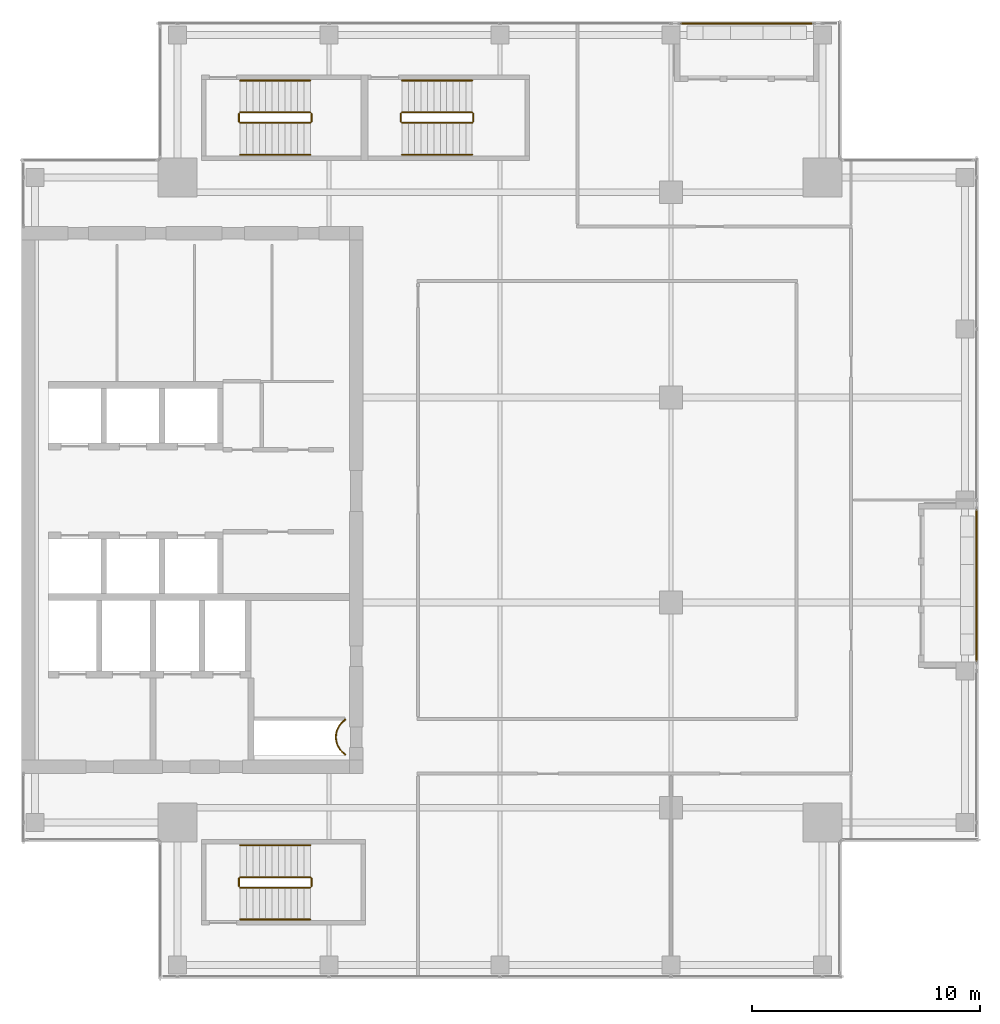
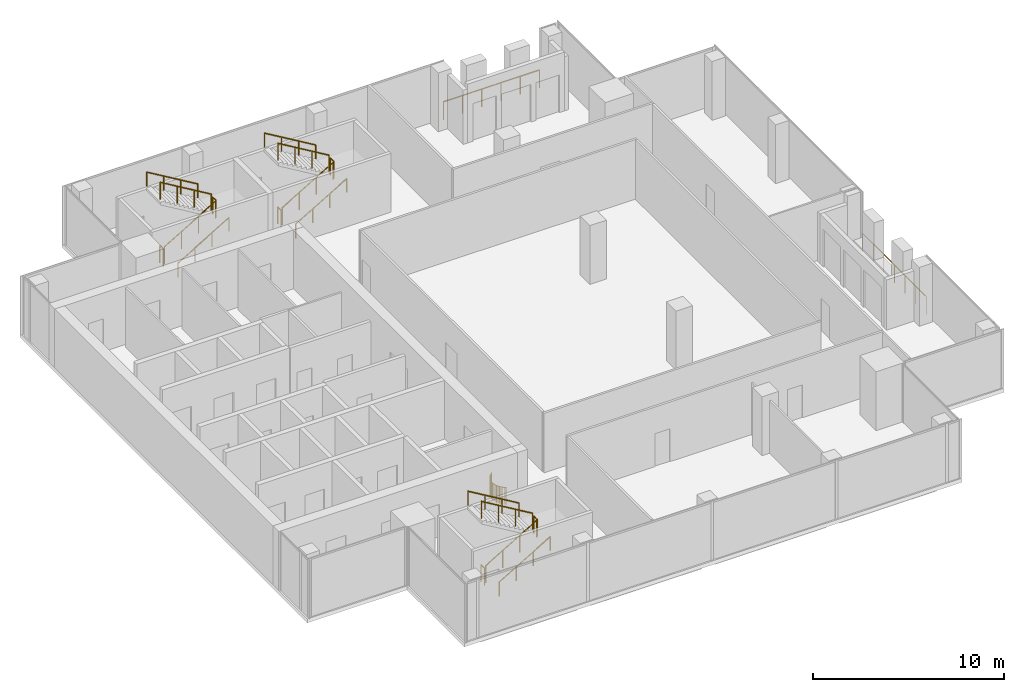
# One storey, part 28 of 29: 21 railings.
"""IFC4 building model written with IfcOpenShell, lengths in metres."""

from ifc_helpers import new_model, si_unit, direction, frame, origin, origin_2d, place, context, subcontext, project, spatial, circle, extrude, source, transform, mapped, material, type_object, element, save


model = new_model("IFC4")

# Units and contexts
model_context = context("Model", 3, precision=1e-05, world=origin(), true_north=direction((0.0, 1.0)))
body_context = subcontext(model_context, "Body", "Model", "MODEL_VIEW")
ifc_project = project(units=[si_unit("LENGTHUNIT", "METRE"), si_unit("AREAUNIT", "SQUARE_METRE"), si_unit("VOLUMEUNIT", "CUBIC_METRE"), si_unit("PLANEANGLEUNIT", "RADIAN"), si_unit("MASSUNIT", "GRAM", prefix="KILO")], contexts=[model_context])

# Site, building, storey
site_placement = place(None, origin())
site = spatial("IfcSite", under=ifc_project, at=site_placement, CompositionType="ELEMENT")
building_placement = place(site_placement, origin())
building = spatial("IfcBuilding", under=site, at=building_placement, Name="Khomas Fold Tower", CompositionType="ELEMENT")
storey_placement = place(building_placement, frame((0.0, 0.0, 322.199951171875)))
storey = spatial("IfcBuildingStorey", under=building, at=storey_placement, Name="L73", CompositionType="ELEMENT", Elevation=322.199951171875)

# Railings
ifc_material_1 = material(Name="Powder-coated steel", Category="steel")
railing_type_1 = type_object("IfcRailingType", Name="Balcony guard", PredefinedType="GUARDRAIL", material=ifc_material_1)
shared_shape_1 = source(origin(), body_context, "Body", "SweptSolid", [
    extrude(circle(Radius=0.02490234375, at=origin_2d()), frame((0.0, 0.0, 1.125), z_axis=(1.0, 0.0, 0.0), x_axis=(0.0, 1.0, 0.0)), (0.0, 0.0, 1.0), 5.7900390625),
    extrude(circle(Radius=0.02001953125, at=origin_2d()), origin(), (0.0, 0.0, 1.0), 1.099853515625),
    extrude(circle(Radius=0.02001953125, at=origin_2d()), frame((1.157958984375, 0.0, 0.0)), (0.0, 0.0, 1.0), 1.099853515625),
    extrude(circle(Radius=0.02001953125, at=origin_2d()), frame((2.31591796875, 0.0, 0.0)), (0.0, 0.0, 1.0), 1.099853515625),
    extrude(circle(Radius=0.02001953125, at=origin_2d()), frame((3.47412109375, 0.0, 0.0)), (0.0, 0.0, 1.0), 1.099853515625),
    extrude(circle(Radius=0.02001953125, at=origin_2d()), frame((4.632080078125, 0.0, 0.0)), (0.0, 0.0, 1.0), 1.099853515625),
    extrude(circle(Radius=0.02001953125, at=origin_2d()), frame((5.7900390625, 0.0, 0.0)), (0.0, 0.0, 1.0), 1.099853515625),
])
railing_1_placement = place(storey_placement, frame((34.929931640625, 47.89990234375, -0.044921875)))
element("IfcRailing", 1, at=railing_1_placement, inside=storey, type_object=railing_type_1, Name="Balcony guard BAL-L73-N4", PredefinedType="GUARDRAIL", context=body_context, shape_type="MappedRepresentation", body=[
    mapped(shared_shape_1, transform((0.0, 0.0, 0.0))),
])
shared_shape_2 = source(origin(), body_context, "Body", "SweptSolid", [
    extrude(circle(Radius=0.02490234375, at=origin_2d()), frame((0.0, 0.0, 1.125), z_axis=(0.0, 1.0, 0.0), x_axis=(-1.0, 0.0, 0.0)), (0.0, 0.0, 1.0), 6.64013671875),
    extrude(circle(Radius=0.02001953125, at=origin_2d()), origin(), (0.0, 0.0, 1.0), 1.099853515625),
    extrude(circle(Radius=0.02001953125, at=origin_2d()), frame((0.0, 1.106689453125, 0.0)), (0.0, 0.0, 1.0), 1.099853515625),
    extrude(circle(Radius=0.02001953125, at=origin_2d()), frame((0.0, 2.21337890625, 0.0)), (0.0, 0.0, 1.0), 1.099853515625),
    extrude(circle(Radius=0.02001953125, at=origin_2d()), frame((0.0, 3.320068359375, 0.0)), (0.0, 0.0, 1.0), 1.099853515625),
    extrude(circle(Radius=0.02001953125, at=origin_2d()), frame((0.0, 4.4267578125, 0.0)), (0.0, 0.0, 1.0), 1.099853515625),
    extrude(circle(Radius=0.02001953125, at=origin_2d()), frame((0.0, 5.533447265625, 0.0)), (0.0, 0.0, 1.0), 1.099853515625),
    extrude(circle(Radius=0.02001953125, at=origin_2d()), frame((0.0, 6.64013671875, 0.0)), (0.0, 0.0, 1.0), 1.099853515625),
])
railing_2_placement = place(storey_placement, frame((47.89990234375, 19.929931640625, -0.044921875)))
element("IfcRailing", 2, at=railing_2_placement, inside=storey, type_object=railing_type_1, Name="Balcony guard BAL-L73-E2", PredefinedType="GUARDRAIL", context=body_context, shape_type="MappedRepresentation", body=[
    mapped(shared_shape_2, transform((0.0, 0.0, 0.0))),
])
ifc_material_2 = material(Name="Steel balustrade", Category="steel")
railing_type_2 = type_object("IfcRailingType", Name="Stair guard", PredefinedType="GUARDRAIL", material=ifc_material_2)
shared_shape_3 = source(origin(), body_context, "Body", "SweptSolid", [
    extrude(circle(Radius=0.02392578125, at=origin_2d()), frame((0.0, 0.0, 1.076171875), z_axis=(0.0, 1.0, 0.0), x_axis=(-1.0, 0.0, 0.0)), (0.0, 0.0, 1.0), 0.349853515625),
    extrude(circle(Radius=0.02099609375, at=origin_2d()), origin(), (0.0, 0.0, 1.0), 1.052001953125),
    extrude(circle(Radius=0.02099609375, at=origin_2d()), frame((0.0, 0.349853515625, 0.0)), (0.0, 0.0, 1.0), 1.052001953125),
])
for number, where, name in (
    (3, (18.72998046875, 43.60009765625, 2.0), "L73 ST1 stair guard 2"),
    (4, (15.550048828125, 43.60009765625, 0.0), "L73 ST1 stair guard 4"),
    (5, (18.72998046875, 10.050048828125, 2.0), "L73 ST2 stair guard 2"),
    (6, (15.550048828125, 10.050048828125, 0.0), "L73 ST2 stair guard 4"),
    (7, (25.830078125, 43.60009765625, 2.0), "L73 ST3 stair guard 2"),
    (8, (22.64990234375, 43.60009765625, 0.0), "L73 ST3 stair guard 4"),
):
    element("IfcRailing", number, at=place(storey_placement, frame(where)), inside=storey, type_object=railing_type_2, Name=name, PredefinedType="GUARDRAIL", context=body_context, shape_type="MappedRepresentation", body=[
        mapped(shared_shape_3, transform((0.0, 0.0, 0.0))),
    ])
shared_shape_4 = source(origin(), body_context, "Body", "SweptSolid", [
    extrude(circle(Radius=0.02392578125, at=origin_2d()), frame((0.0, 0.0, 1.076171875), z_axis=(0.859290745958, 0.0, 0.51148745235), x_axis=(0.0, 1.0, 0.0)), (0.0, 0.0, 1.0), 3.584228515625),
    extrude(circle(Radius=0.02099609375, at=origin_2d()), origin(), (0.0, 0.0, 1.0), 1.052001953125),
    extrude(circle(Radius=0.02099609375, at=origin_2d()), frame((1.026611328125, 0.0, 0.611083984375)), (0.0, 0.0, 1.0), 1.052001953125),
    extrude(circle(Radius=0.02099609375, at=origin_2d()), frame((2.05322265625, 0.0, 1.22216796875)), (0.0, 0.0, 1.0), 1.052001953125),
    extrude(circle(Radius=0.02099609375, at=origin_2d()), frame((3.079833984375, 0.0, 1.833251953125)), (0.0, 0.0, 1.0), 1.052001953125),
])
for number, where, name in (
    (9, (15.60009765625, 43.550048828125, 0.166748046875), "L73 ST1 stair guard 1"),
    (10, (15.60009765625, 10.0, 0.166748046875), "L73 ST2 stair guard 1"),
):
    element("IfcRailing", number, at=place(storey_placement, frame(where)), inside=storey, type_object=railing_type_2, Name=name, PredefinedType="GUARDRAIL", context=body_context, shape_type="MappedRepresentation", body=[
        mapped(shared_shape_4, transform((0.0, 0.0, 0.0))),
    ])
shared_shape_5 = source(origin(), body_context, "Body", "SweptSolid", [
    extrude(circle(Radius=0.02392578125, at=origin_2d()), frame((0.0, 0.0, 1.076171875), z_axis=(-0.859290745958, 0.0, 0.51148745235), x_axis=(0.0, -1.0, 0.0)), (0.0, 0.0, 1.0), 3.584228515625),
    extrude(circle(Radius=0.02099609375, at=origin_2d()), origin(), (0.0, 0.0, 1.0), 1.052001953125),
    extrude(circle(Radius=0.02099609375, at=origin_2d()), frame((-1.026611328125, 0.0, 0.611083984375)), (0.0, 0.0, 1.0), 1.052001953125),
    extrude(circle(Radius=0.02099609375, at=origin_2d()), frame((-2.05322265625, 0.0, 1.22216796875)), (0.0, 0.0, 1.0), 1.052001953125),
    extrude(circle(Radius=0.02099609375, at=origin_2d()), frame((-3.079833984375, 0.0, 1.833251953125)), (0.0, 0.0, 1.0), 1.052001953125),
])
for number, where, name in (
    (11, (18.679931640625, 44.0, 2.166748046875), "L73 ST1 stair guard 3"),
    (12, (18.679931640625, 10.449951171875, 2.166748046875), "L73 ST2 stair guard 3"),
):
    element("IfcRailing", number, at=place(storey_placement, frame(where)), inside=storey, type_object=railing_type_2, Name=name, PredefinedType="GUARDRAIL", context=body_context, shape_type="MappedRepresentation", body=[
        mapped(shared_shape_5, transform((0.0, 0.0, 0.0))),
    ])
ifc_material_3 = material(Name="Steel handrail", Category="steel")
railing_type_3 = type_object("IfcRailingType", Name="Stair handrail", PredefinedType="HANDRAIL", material=ifc_material_3)
shared_shape_6 = source(origin(), body_context, "Body", "SweptSolid", [
    extrude(circle(Radius=0.02392578125, at=origin_2d()), frame((0.0, 0.0, 0.8759765625), z_axis=(0.859290745958, 0.0, 0.51148745235), x_axis=(0.0, 1.0, 0.0)), (0.0, 0.0, 1.0), 3.584228515625),
    extrude(circle(Radius=0.02099609375, at=origin_2d()), origin(), (0.0, 0.0, 1.0), 0.851806640625),
    extrude(circle(Radius=0.02099609375, at=origin_2d()), frame((1.026611328125, 0.0, 0.611083984375)), (0.0, 0.0, 1.0), 0.851806640625),
    extrude(circle(Radius=0.02099609375, at=origin_2d()), frame((2.05322265625, 0.0, 1.22216796875)), (0.0, 0.0, 1.0), 0.851806640625),
    extrude(circle(Radius=0.02099609375, at=origin_2d()), frame((3.079833984375, 0.0, 1.833251953125)), (0.0, 0.0, 1.0), 0.851806640625),
])
for number, where, name in (
    (13, (15.60009765625, 42.14990234375, 0.166748046875), "L73 ST1 stair handrail 1"),
    (14, (15.60009765625, 8.60009765625, 0.166748046875), "L73 ST2 stair handrail 1"),
):
    element("IfcRailing", number, at=place(storey_placement, frame(where)), inside=storey, type_object=railing_type_3, Name=name, PredefinedType="HANDRAIL", context=body_context, shape_type="MappedRepresentation", body=[
        mapped(shared_shape_6, transform((0.0, 0.0, 0.0))),
    ])
shared_shape_7 = source(origin(), body_context, "Body", "SweptSolid", [
    extrude(circle(Radius=0.02392578125, at=origin_2d()), frame((0.0, 0.0, 0.8759765625), z_axis=(-0.859290745958, 0.0, 0.51148745235), x_axis=(0.0, -1.0, 0.0)), (0.0, 0.0, 1.0), 3.584228515625),
    extrude(circle(Radius=0.02099609375, at=origin_2d()), origin(), (0.0, 0.0, 1.0), 0.851806640625),
    extrude(circle(Radius=0.02099609375, at=origin_2d()), frame((-1.026611328125, 0.0, 0.611083984375)), (0.0, 0.0, 1.0), 0.851806640625),
    extrude(circle(Radius=0.02099609375, at=origin_2d()), frame((-2.05322265625, 0.0, 1.22216796875)), (0.0, 0.0, 1.0), 0.851806640625),
    extrude(circle(Radius=0.02099609375, at=origin_2d()), frame((-3.079833984375, 0.0, 1.833251953125)), (0.0, 0.0, 1.0), 0.851806640625),
])
for number, where, name in (
    (15, (18.679931640625, 45.39990234375, 2.166748046875), "L73 ST1 stair handrail 2"),
    (16, (18.679931640625, 11.85009765625, 2.166748046875), "L73 ST2 stair handrail 2"),
):
    element("IfcRailing", number, at=place(storey_placement, frame(where)), inside=storey, type_object=railing_type_3, Name=name, PredefinedType="HANDRAIL", context=body_context, shape_type="MappedRepresentation", body=[
        mapped(shared_shape_7, transform((0.0, 0.0, 0.0))),
    ])
shared_shape_8 = source(origin(), body_context, "Body", "SweptSolid", [
    extrude(circle(Radius=0.02392578125, at=origin_2d()), frame((0.0, 0.0, 1.076171875), z_axis=(0.859308565015, 0.0, 0.511457515432), x_axis=(0.0, 1.0, 0.0)), (0.0, 0.0, 1.0), 3.58447265625),
    extrude(circle(Radius=0.02099609375, at=origin_2d()), origin(), (0.0, 0.0, 1.0), 1.052001953125),
    extrude(circle(Radius=0.02099609375, at=origin_2d()), frame((1.026611328125, 0.0, 0.611083984375)), (0.0, 0.0, 1.0), 1.052001953125),
    extrude(circle(Radius=0.02099609375, at=origin_2d()), frame((2.053466796875, 0.0, 1.22216796875)), (0.0, 0.0, 1.0), 1.052001953125),
    extrude(circle(Radius=0.02099609375, at=origin_2d()), frame((3.080078125, 0.0, 1.833251953125)), (0.0, 0.0, 1.0), 1.052001953125),
])
railing_3_placement = place(storey_placement, frame((22.699951171875, 43.550048828125, 0.166748046875)))
element("IfcRailing", 17, at=railing_3_placement, inside=storey, type_object=railing_type_2, Name="L73 ST3 stair guard 1", PredefinedType="GUARDRAIL", context=body_context, shape_type="MappedRepresentation", body=[
    mapped(shared_shape_8, transform((0.0, 0.0, 0.0))),
])
shared_shape_9 = source(origin(), body_context, "Body", "SweptSolid", [
    extrude(circle(Radius=0.02392578125, at=origin_2d()), frame((0.0, 0.0, 1.076171875), z_axis=(-0.859308565015, 0.0, 0.511457515432), x_axis=(0.0, -1.0, 0.0)), (0.0, 0.0, 1.0), 3.58447265625),
    extrude(circle(Radius=0.02099609375, at=origin_2d()), origin(), (0.0, 0.0, 1.0), 1.052001953125),
    extrude(circle(Radius=0.02099609375, at=origin_2d()), frame((-1.026611328125, 0.0, 0.611083984375)), (0.0, 0.0, 1.0), 1.052001953125),
    extrude(circle(Radius=0.02099609375, at=origin_2d()), frame((-2.053466796875, 0.0, 1.22216796875)), (0.0, 0.0, 1.0), 1.052001953125),
    extrude(circle(Radius=0.02099609375, at=origin_2d()), frame((-3.080078125, 0.0, 1.833251953125)), (0.0, 0.0, 1.0), 1.052001953125),
])
railing_4_placement = place(storey_placement, frame((25.780029296875, 44.0, 2.166748046875)))
element("IfcRailing", 18, at=railing_4_placement, inside=storey, type_object=railing_type_2, Name="L73 ST3 stair guard 3", PredefinedType="GUARDRAIL", context=body_context, shape_type="MappedRepresentation", body=[
    mapped(shared_shape_9, transform((0.0, 0.0, 0.0))),
])
shared_shape_10 = source(origin(), body_context, "Body", "SweptSolid", [
    extrude(circle(Radius=0.02392578125, at=origin_2d()), frame((0.0, 0.0, 0.8759765625), z_axis=(0.859308565015, 0.0, 0.511457515432), x_axis=(0.0, 1.0, 0.0)), (0.0, 0.0, 1.0), 3.58447265625),
    extrude(circle(Radius=0.02099609375, at=origin_2d()), origin(), (0.0, 0.0, 1.0), 0.851806640625),
    extrude(circle(Radius=0.02099609375, at=origin_2d()), frame((1.026611328125, 0.0, 0.611083984375)), (0.0, 0.0, 1.0), 0.851806640625),
    extrude(circle(Radius=0.02099609375, at=origin_2d()), frame((2.053466796875, 0.0, 1.22216796875)), (0.0, 0.0, 1.0), 0.851806640625),
    extrude(circle(Radius=0.02099609375, at=origin_2d()), frame((3.080078125, 0.0, 1.833251953125)), (0.0, 0.0, 1.0), 0.851806640625),
])
railing_5_placement = place(storey_placement, frame((22.699951171875, 42.14990234375, 0.166748046875)))
element("IfcRailing", 19, at=railing_5_placement, inside=storey, type_object=railing_type_3, Name="L73 ST3 stair handrail 1", PredefinedType="HANDRAIL", context=body_context, shape_type="MappedRepresentation", body=[
    mapped(shared_shape_10, transform((0.0, 0.0, 0.0))),
])
shared_shape_11 = source(origin(), body_context, "Body", "SweptSolid", [
    extrude(circle(Radius=0.02392578125, at=origin_2d()), frame((0.0, 0.0, 0.8759765625), z_axis=(-0.859308565015, 0.0, 0.511457515432), x_axis=(0.0, -1.0, 0.0)), (0.0, 0.0, 1.0), 3.58447265625),
    extrude(circle(Radius=0.02099609375, at=origin_2d()), origin(), (0.0, 0.0, 1.0), 0.851806640625),
    extrude(circle(Radius=0.02099609375, at=origin_2d()), frame((-1.026611328125, 0.0, 0.611083984375)), (0.0, 0.0, 1.0), 0.851806640625),
    extrude(circle(Radius=0.02099609375, at=origin_2d()), frame((-2.053466796875, 0.0, 1.22216796875)), (0.0, 0.0, 1.0), 0.851806640625),
    extrude(circle(Radius=0.02099609375, at=origin_2d()), frame((-3.080078125, 0.0, 1.833251953125)), (0.0, 0.0, 1.0), 0.851806640625),
])
railing_6_placement = place(storey_placement, frame((25.780029296875, 45.39990234375, 2.166748046875)))
element("IfcRailing", 20, at=railing_6_placement, inside=storey, type_object=railing_type_3, Name="L73 ST3 stair handrail 2", PredefinedType="HANDRAIL", context=body_context, shape_type="MappedRepresentation", body=[
    mapped(shared_shape_11, transform((0.0, 0.0, 0.0))),
])
ifc_material_4 = material(Name="Steel balustrade", Category="steel")
railing_type_4 = type_object("IfcRailingType", Name="Shaft guard", PredefinedType="GUARDRAIL", material=ifc_material_4)
shared_shape_12 = source(origin(), body_context, "Body", "SweptSolid", [
    extrude(circle(Radius=0.02490234375, at=origin_2d()), frame((0.0, 0.0, 1.0751953125), z_axis=(0.0, -1.0, 0.0), x_axis=(1.0, 0.0, 0.0)), (0.0, 0.0, 1.0), 0.034912109375),
    extrude(circle(Radius=0.02490234375, at=origin_2d()), frame((0.0, -0.034912109375, 1.0751953125), z_axis=(-0.802970227885, -0.596019138224, 0.0), x_axis=(0.596019138224, -0.802970227885, 0.0)), (0.0, 0.0, 1.0), 0.08837890625),
    extrude(circle(Radius=0.02490234375, at=origin_2d()), frame((-0.071044921875, -0.087646484375, 1.0751953125), z_axis=(-0.739563952942, -0.673086294251, 0.0), x_axis=(0.673086294251, -0.739563952942, 0.0)), (0.0, 0.0, 1.0), 0.088134765625),
    extrude(circle(Radius=0.02490234375, at=origin_2d()), frame((-0.13623046875, -0.14697265625, 1.0751953125), z_axis=(-0.671709119666, -0.740814996175, 0.0), x_axis=(0.740814996175, -0.671709119666, 0.0)), (0.0, 0.0, 1.0), 0.08837890625),
    extrude(circle(Radius=0.02490234375, at=origin_2d()), frame((-0.195556640625, -0.21240234375, 1.0751953125), z_axis=(-0.597341843489, -0.801986734315, 0.0), x_axis=(0.801986734315, -0.597341843489, 0.0)), (0.0, 0.0, 1.0), 0.08837890625),
    extrude(circle(Radius=0.02490234375, at=origin_2d()), frame((-0.248291015625, -0.283203125, 1.0751953125), z_axis=(-0.514495755428, -0.857492925713, 0.0), x_axis=(0.857492925713, -0.514495755428, 0.0)), (0.0, 0.0, 1.0), 0.08837890625),
    extrude(circle(Radius=0.02490234375, at=origin_2d()), frame((-0.293701171875, -0.35888671875, 1.0751953125), z_axis=(-0.427256721383, -0.904130352346, 0.0), x_axis=(0.904130352346, -0.427256721383, 0.0)), (0.0, 0.0, 1.0), 0.088623046875),
    extrude(circle(Radius=0.02490234375, at=origin_2d()), frame((-0.33154296875, -0.43896484375, 1.0751953125), z_axis=(-0.335282981086, -0.942117467514, 0.0), x_axis=(0.942117467514, -0.335282981086, 0.0)), (0.0, 0.0, 1.0), 0.088134765625),
    extrude(circle(Radius=0.02490234375, at=origin_2d()), frame((-0.361083984375, -0.52197265625, 1.0751953125), z_axis=(-0.243185799972, -0.969979724887, 0.0), x_axis=(0.969979724887, -0.243185799972, 0.0)), (0.0, 0.0, 1.0), 0.08837890625),
    extrude(circle(Radius=0.02490234375, at=origin_2d()), frame((-0.382568359375, -0.607666015625, 1.0751953125), z_axis=(-0.149150785005, -0.988814463553, 0.0), x_axis=(0.988814463553, -0.149150785005, 0.0)), (0.0, 0.0, 1.0), 0.08837890625),
    extrude(circle(Radius=0.02490234375, at=origin_2d()), frame((-0.395751953125, -0.695068359375, 1.0751953125), z_axis=(-0.047039284441, -0.99889304018, 0.0), x_axis=(0.99889304018, -0.047039284441, 0.0)), (0.0, 0.0, 1.0), 0.088134765625),
    extrude(circle(Radius=0.02490234375, at=origin_2d()), frame((-0.39990234375, -0.783203125, 1.0751953125), z_axis=(0.046909628002, -0.998899137451, 0.0), x_axis=(0.998899137451, 0.046909628002, 0.0)), (0.0, 0.0, 1.0), 0.08837890625),
    extrude(circle(Radius=0.02490234375, at=origin_2d()), frame((-0.395751953125, -0.87158203125, 1.0751953125), z_axis=(0.149150785005, -0.988814463553, 0.0), x_axis=(0.988814463553, 0.149150785005, 0.0)), (0.0, 0.0, 1.0), 0.08837890625),
    extrude(circle(Radius=0.02490234375, at=origin_2d()), frame((-0.382568359375, -0.958984375, 1.0751953125), z_axis=(0.243185799972, -0.969979724887, 0.0), x_axis=(0.969979724887, 0.243185799972, 0.0)), (0.0, 0.0, 1.0), 0.08837890625),
    extrude(circle(Radius=0.02490234375, at=origin_2d()), frame((-0.361083984375, -1.044677734375, 1.0751953125), z_axis=(0.335282981086, -0.942117467514, 0.0), x_axis=(0.942117467514, 0.335282981086, 0.0)), (0.0, 0.0, 1.0), 0.088134765625),
    extrude(circle(Radius=0.02490234375, at=origin_2d()), frame((-0.33154296875, -1.127685546875, 1.0751953125), z_axis=(0.428323905606, -0.903625271828, 0.0), x_axis=(0.903625271828, 0.428323905606, 0.0)), (0.0, 0.0, 1.0), 0.08837890625),
    extrude(circle(Radius=0.02490234375, at=origin_2d()), frame((-0.293701171875, -1.20751953125, 1.0751953125), z_axis=(0.514495755428, -0.857492925713, 0.0), x_axis=(0.857492925713, 0.514495755428, 0.0)), (0.0, 0.0, 1.0), 0.08837890625),
    extrude(circle(Radius=0.02490234375, at=origin_2d()), frame((-0.248291015625, -1.283203125, 1.0751953125), z_axis=(0.596019138224, -0.802970227885, 0.0), x_axis=(0.802970227885, 0.596019138224, 0.0)), (0.0, 0.0, 1.0), 0.08837890625),
    extrude(circle(Radius=0.02490234375, at=origin_2d()), frame((-0.195556640625, -1.354248046875, 1.0751953125), z_axis=(0.671709119666, -0.740814996175, 0.0), x_axis=(0.740814996175, 0.671709119666, 0.0)), (0.0, 0.0, 1.0), 0.08837890625),
    extrude(circle(Radius=0.02490234375, at=origin_2d()), frame((-0.13623046875, -1.419677734375, 1.0751953125), z_axis=(0.739563952942, -0.673086294251, 0.0), x_axis=(0.673086294251, 0.739563952942, 0.0)), (0.0, 0.0, 1.0), 0.088134765625),
    extrude(circle(Radius=0.02490234375, at=origin_2d()), frame((-0.071044921875, -1.47900390625, 1.0751953125), z_axis=(0.804291006819, -0.594235623595, 0.0), x_axis=(0.594235623595, 0.804291006819, 0.0)), (0.0, 0.0, 1.0), 0.08837890625),
    extrude(circle(Radius=0.02490234375, at=origin_2d()), frame((0.0, -1.531494140625, 1.0751953125), z_axis=(0.0, -1.0, 0.0), x_axis=(1.0, 0.0, 0.0)), (0.0, 0.0, 1.0), 0.03515625),
    extrude(circle(Radius=0.02001953125, at=origin_2d()), origin(), (0.0, 0.0, 1.0), 1.050048828125),
    extrude(circle(Radius=0.02001953125, at=origin_2d()), frame((0.0, -0.034912109375, 0.0)), (0.0, 0.0, 1.0), 1.050048828125),
    extrude(circle(Radius=0.02001953125, at=origin_2d()), frame((-0.071044921875, -0.087646484375, 0.0)), (0.0, 0.0, 1.0), 1.050048828125),
    extrude(circle(Radius=0.02001953125, at=origin_2d()), frame((-0.13623046875, -0.14697265625, 0.0)), (0.0, 0.0, 1.0), 1.050048828125),
    extrude(circle(Radius=0.02001953125, at=origin_2d()), frame((-0.195556640625, -0.21240234375, 0.0)), (0.0, 0.0, 1.0), 1.050048828125),
    extrude(circle(Radius=0.02001953125, at=origin_2d()), frame((-0.248291015625, -0.283203125, 0.0)), (0.0, 0.0, 1.0), 1.050048828125),
    extrude(circle(Radius=0.02001953125, at=origin_2d()), frame((-0.293701171875, -0.35888671875, 0.0)), (0.0, 0.0, 1.0), 1.050048828125),
    extrude(circle(Radius=0.02001953125, at=origin_2d()), frame((-0.33154296875, -0.43896484375, 0.0)), (0.0, 0.0, 1.0), 1.050048828125),
    extrude(circle(Radius=0.02001953125, at=origin_2d()), frame((-0.361083984375, -0.52197265625, 0.0)), (0.0, 0.0, 1.0), 1.050048828125),
    extrude(circle(Radius=0.02001953125, at=origin_2d()), frame((-0.382568359375, -0.607666015625, 0.0)), (0.0, 0.0, 1.0), 1.050048828125),
    extrude(circle(Radius=0.02001953125, at=origin_2d()), frame((-0.395751953125, -0.695068359375, 0.0)), (0.0, 0.0, 1.0), 1.050048828125),
    extrude(circle(Radius=0.02001953125, at=origin_2d()), frame((-0.39990234375, -0.783203125, 0.0)), (0.0, 0.0, 1.0), 1.050048828125),
    extrude(circle(Radius=0.02001953125, at=origin_2d()), frame((-0.395751953125, -0.87158203125, 0.0)), (0.0, 0.0, 1.0), 1.050048828125),
    extrude(circle(Radius=0.02001953125, at=origin_2d()), frame((-0.382568359375, -0.958984375, 0.0)), (0.0, 0.0, 1.0), 1.050048828125),
    extrude(circle(Radius=0.02001953125, at=origin_2d()), frame((-0.361083984375, -1.044677734375, 0.0)), (0.0, 0.0, 1.0), 1.050048828125),
    extrude(circle(Radius=0.02001953125, at=origin_2d()), frame((-0.33154296875, -1.127685546875, 0.0)), (0.0, 0.0, 1.0), 1.050048828125),
    extrude(circle(Radius=0.02001953125, at=origin_2d()), frame((-0.293701171875, -1.20751953125, 0.0)), (0.0, 0.0, 1.0), 1.050048828125),
    extrude(circle(Radius=0.02001953125, at=origin_2d()), frame((-0.248291015625, -1.283203125, 0.0)), (0.0, 0.0, 1.0), 1.050048828125),
    extrude(circle(Radius=0.02001953125, at=origin_2d()), frame((-0.195556640625, -1.354248046875, 0.0)), (0.0, 0.0, 1.0), 1.050048828125),
    extrude(circle(Radius=0.02001953125, at=origin_2d()), frame((-0.13623046875, -1.419677734375, 0.0)), (0.0, 0.0, 1.0), 1.050048828125),
    extrude(circle(Radius=0.02001953125, at=origin_2d()), frame((-0.071044921875, -1.47900390625, 0.0)), (0.0, 0.0, 1.0), 1.050048828125),
    extrude(circle(Radius=0.02001953125, at=origin_2d()), frame((0.0, -1.531494140625, 0.0)), (0.0, 0.0, 1.0), 1.050048828125),
    extrude(circle(Radius=0.02001953125, at=origin_2d()), frame((0.0, -1.566650390625, 0.0)), (0.0, 0.0, 1.0), 1.050048828125),
])
railing_7_placement = place(storey_placement, frame((20.199951171875, 17.38330078125, 0.0)))
element("IfcRailing", 21, at=railing_7_placement, inside=storey, type_object=railing_type_4, Name="Shaft guard L73 1", PredefinedType="GUARDRAIL", context=body_context, shape_type="MappedRepresentation", body=[
    mapped(shared_shape_12, transform((0.0, 0.0, 0.0))),
])

save(model, "model.ifc")
